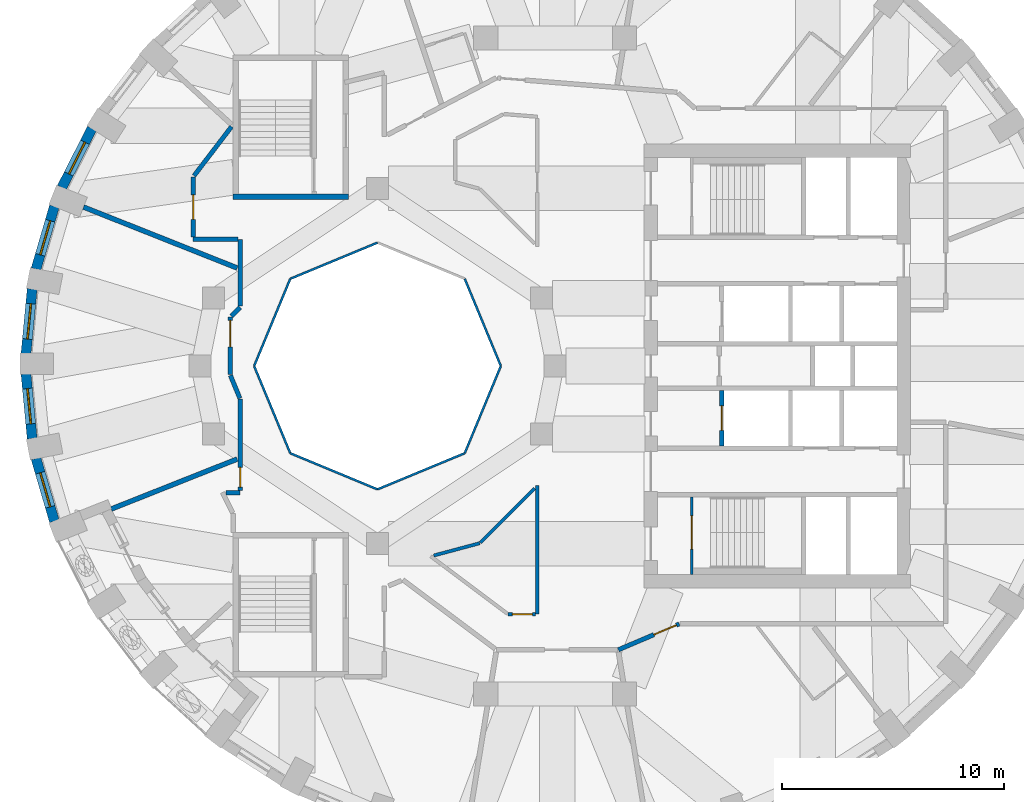
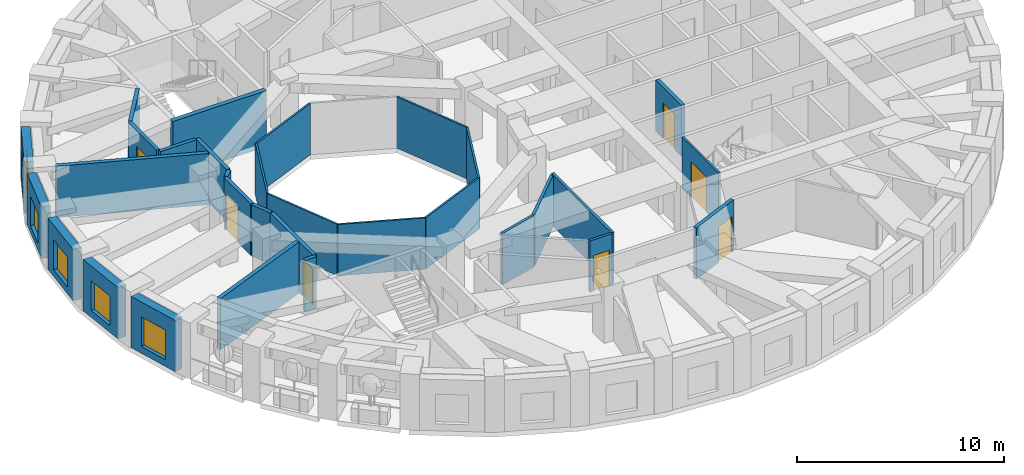
# One storey, part 4 of 11: 31 walls, 7 doors, 5 windows, 12 openings.
"""IFC4 building model written with IfcOpenShell, lengths in metres."""

from ifc_helpers import new_model, si_unit, direction, frame, frame_2d, origin, place, context, subcontext, project, spatial, rectangle, extrude, material, layer, layer_set, type_object, element, fill, save


model = new_model("IFC4")

# Units and contexts
model_context = context("Model", 3, precision=1e-05, world=origin(), true_north=direction((0.0, 1.0)))
body_context = subcontext(model_context, "Body", "Model", "MODEL_VIEW")
ifc_project = project(units=[si_unit("LENGTHUNIT", "METRE"), si_unit("AREAUNIT", "SQUARE_METRE"), si_unit("VOLUMEUNIT", "CUBIC_METRE"), si_unit("PLANEANGLEUNIT", "RADIAN"), si_unit("MASSUNIT", "GRAM", prefix="KILO")], contexts=[model_context])

# Site, building, storey
site_placement = place(None, origin())
site = spatial("IfcSite", under=ifc_project, at=site_placement, CompositionType="ELEMENT")
building_placement = place(site_placement, origin())
building = spatial("IfcBuilding", under=site, at=building_placement, Name="Taillehof Tower", CompositionType="ELEMENT")
storey_placement = place(building_placement, frame((0.0, 0.0, 178.10009765625)))
storey = spatial("IfcBuildingStorey", under=building, at=storey_placement, Name="L50", CompositionType="ELEMENT", Elevation=178.10009765625)

# Walls
ifc_material_1 = material(Name="Fire-resisting glass in steel frame", Category="steel")
ifc_layer_1 = layer(ifc_material_1, 0.10009765625)
ifc_layer_set_1 = layer_set([ifc_layer_1], Name="Atrium fire-resisting screen EI 60 100")
wall_type_1 = type_object("IfcWallType", Name="Atrium fire-resisting screen EI 60 100", PredefinedType="PARTITIONING", material=ifc_layer_set_1)
for number, where, z_axis, x_axis, name in (
    (1, (-2.44580078125, 0.0, 0.0), (0.0, 0.0, 1.0), (-0.382730523909, -0.923860025149, 0.0), "Atrium screen"),
    (2, (-4.07275390625, -3.92724609375, 0.0), (0.0, 0.0, 1.0), (-0.923860025149, -0.382730523909, 0.0), "Atrium screen"),
    (3, (-8.0, -5.55419921875, 0.0), (0.0, 0.0, 1.0), (-0.923860025149, 0.382730523909, 0.0), "Atrium screen"),
    (4, (-11.92724609375, -3.92724609375, 0.0), (0.0, 0.0, 1.0), (-0.382730523909, 0.923860025149, 0.0), "Atrium screen"),
    (5, (-13.55419921875, 0.0, 0.0), (0.0, 0.0, 1.0), (0.382730523909, 0.923860025149, 0.0), "Atrium screen"),
    (6, (-11.92724609375, 3.92724609375, 0.0), (0.0, 0.0, 1.0), (0.923860025149, 0.382730523909, 0.0), "Atrium screen"),
    (7, (-4.07275390625, 3.92724609375, 0.0), (0.0, 0.0, 1.0), (0.382730523909, -0.923860025149, 0.0), "Atrium screen"),
):
    element("IfcWall", number, at=place(storey_placement, frame(where, z_axis=z_axis, x_axis=x_axis)), inside=storey, type_object=wall_type_1, Name=name, PredefinedType="PARTITIONING", context=body_context, shape_type="SweptSolid", body=[
        extrude(rectangle(XDim=4.2509765625, YDim=0.10009765625, at=frame_2d((2.12548828125, 0.0))), origin(), (0.0, 0.0, 1.0), 3.02001953125),
    ])

# Wall, opening, window
ifc_material_2 = material(Name="Brick masonry", Category="masonry")
ifc_layer_2 = layer(ifc_material_2, 0.449951171875)
ifc_layer_set_2 = layer_set([ifc_layer_2], Name="Brick infill wall 450")
wall_type_2 = type_object("IfcWallType", Name="Brick infill wall 450", PredefinedType="SOLIDWALL", material=ifc_layer_set_2)
wall_1_placement = place(storey_placement, frame((-20.859375, 10.697021484375, 0.0), z_axis=(0.0, 0.0, 1.0), x_axis=(-0.454133999889, -0.890933392653, 0.0)))
wall_1 = element("IfcWall", 8, at=wall_1_placement, inside=storey, type_object=wall_type_2, Name="Brick wall L50 bay 16", PredefinedType="SOLIDWALL", context=body_context, shape_type="SweptSolid", body=[
    extrude(rectangle(XDim=2.98583984375, YDim=0.449951171875, at=frame_2d((1.492919921875, 0.0))), origin(), (0.0, 0.0, 1.0), 3.02001953125),
])
opening_1_placement = place(wall_1_placement, frame((0.69287109375, 0.0, 0.39990234375)))
opening_1 = element("IfcOpeningElement", 9, at=opening_1_placement, cuts=wall_1, Name="Opening W3", PredefinedType="OPENING", context=body_context, shape_type="SweptSolid", body=[
    extrude(rectangle(XDim=1.60009765625, YDim=1.75, at=frame_2d((0.800048828125, 0.875))), frame((0.0, 0.23486328125, 0.0), z_axis=(0.0, -1.0, 0.0), x_axis=(1.0, 0.0, 0.0)), (0.0, 0.0, 1.0), 0.469970703125),
])
ifc_material_3 = material(Name="Aluminium window frame with clear double glazing", Category="aluminium")
window_type = type_object("IfcWindowType", Name="Deep-set window 1600x1750", PartitioningType="SINGLE_PANEL", PredefinedType="WINDOW", material=ifc_material_3)
window_1_placement = place(opening_1_placement, origin())
window_1 = element("IfcWindow", 10, at=window_1_placement, inside=storey, type_object=window_type, Name="W3", OverallHeight=1.75, OverallWidth=1.60009765625, PartitioningType="SINGLE_PANEL", PredefinedType="WINDOW", context=body_context, shape_type="SweptSolid", body=[
    extrude(rectangle(XDim=1.60009765625, YDim=1.75, at=frame_2d((0.800048828125, 0.875))), frame((0.0, 0.034912109375, 0.0), z_axis=(0.0, -1.0, 0.0), x_axis=(1.0, 0.0, 0.0)), (0.0, 0.0, 1.0), 0.06005859375),
])
fill(opening_1, window_1)

wall_2_placement = place(storey_placement, frame((-22.55126953125, 7.19091796875, 0.0), z_axis=(0.0, 0.0, 1.0), x_axis=(-0.281125768296, -0.959670934435, 0.0)))
wall_2 = element("IfcWall", 11, at=wall_2_placement, inside=storey, type_object=wall_type_2, Name="Brick wall L50 bay 17", PredefinedType="SOLIDWALL", context=body_context, shape_type="SweptSolid", body=[
    extrude(rectangle(XDim=2.947509765625, YDim=0.449951171875, at=frame_2d((1.4736328125, 0.0))), origin(), (0.0, 0.0, 1.0), 3.02001953125),
])
opening_2_placement = place(wall_2_placement, frame((0.673583984375, 0.0, 0.39990234375)))
opening_2 = element("IfcOpeningElement", 12, at=opening_2_placement, cuts=wall_2, Name="Opening W3", PredefinedType="OPENING", context=body_context, shape_type="SweptSolid", body=[
    extrude(rectangle(XDim=1.60009765625, YDim=1.75, at=frame_2d((0.800048828125, 0.875))), frame((0.0, 0.23486328125, 0.0), z_axis=(0.0, -1.0, 0.0), x_axis=(1.0, 0.0, 0.0)), (0.0, 0.0, 1.0), 0.469970703125),
])
window_2_placement = place(opening_2_placement, origin())
window_2 = element("IfcWindow", 13, at=window_2_placement, inside=storey, type_object=window_type, Name="W3", OverallHeight=1.75, OverallWidth=1.60009765625, PartitioningType="SINGLE_PANEL", PredefinedType="WINDOW", context=body_context, shape_type="SweptSolid", body=[
    extrude(rectangle(XDim=1.60009765625, YDim=1.75, at=frame_2d((0.800048828125, 0.875))), frame((0.0, 0.034912109375, 0.0), z_axis=(0.0, -1.0, 0.0), x_axis=(1.0, 0.0, 0.0)), (0.0, 0.0, 1.0), 0.06005859375),
])
fill(opening_2, window_2)

wall_3_placement = place(storey_placement, frame((-23.5517578125, 3.468505859375, 0.0), z_axis=(0.0, 0.0, 1.0), x_axis=(-0.095265737322, -0.995451876935, 0.0)))
wall_3 = element("IfcWall", 14, at=wall_3_placement, inside=storey, type_object=wall_type_2, Name="Brick wall L50 bay 18", PredefinedType="SOLIDWALL", context=body_context, shape_type="SweptSolid", body=[
    extrude(rectangle(XDim=2.9267578125, YDim=0.449951171875, at=frame_2d((1.46337890625, 0.0))), origin(), (0.0, 0.0, 1.0), 3.02001953125),
])
opening_3_placement = place(wall_3_placement, frame((0.663330078125, 0.0, 0.39990234375)))
opening_3 = element("IfcOpeningElement", 15, at=opening_3_placement, cuts=wall_3, Name="Opening W3", PredefinedType="OPENING", context=body_context, shape_type="SweptSolid", body=[
    extrude(rectangle(XDim=1.60009765625, YDim=1.75, at=frame_2d((0.800048828125, 0.875))), frame((0.0, 0.23486328125, 0.0), z_axis=(0.0, -1.0, 0.0), x_axis=(1.0, 0.0, 0.0)), (0.0, 0.0, 1.0), 0.469970703125),
])
window_3_placement = place(opening_3_placement, origin())
window_3 = element("IfcWindow", 16, at=window_3_placement, inside=storey, type_object=window_type, Name="W3", OverallHeight=1.75, OverallWidth=1.60009765625, PartitioningType="SINGLE_PANEL", PredefinedType="WINDOW", context=body_context, shape_type="SweptSolid", body=[
    extrude(rectangle(XDim=1.60009765625, YDim=1.75, at=frame_2d((0.800048828125, 0.875))), frame((0.0, 0.034912109375, 0.0), z_axis=(0.0, -1.0, 0.0), x_axis=(1.0, 0.0, 0.0)), (0.0, 0.0, 1.0), 0.06005859375),
])
fill(opening_3, window_3)

wall_4_placement = place(storey_placement, frame((-23.83056640625, -0.35498046875, 0.0), z_axis=(0.0, 0.0, 1.0), x_axis=(0.095257827044, -0.995452633924, 0.0)))
wall_4 = element("IfcWall", 17, at=wall_4_placement, inside=storey, type_object=wall_type_2, Name="Brick wall L50 bay 19", PredefinedType="SOLIDWALL", context=body_context, shape_type="SweptSolid", body=[
    extrude(rectangle(XDim=2.927001953125, YDim=0.449951171875, at=frame_2d((1.46337890625, 0.0))), origin(), (0.0, 0.0, 1.0), 3.02001953125),
])
opening_4_placement = place(wall_4_placement, frame((0.663330078125, 0.0, 0.39990234375)))
opening_4 = element("IfcOpeningElement", 18, at=opening_4_placement, cuts=wall_4, Name="Opening W3", PredefinedType="OPENING", context=body_context, shape_type="SweptSolid", body=[
    extrude(rectangle(XDim=1.60009765625, YDim=1.75, at=frame_2d((0.800048828125, 0.875))), frame((0.0, 0.23486328125, 0.0), z_axis=(0.0, -1.0, 0.0), x_axis=(1.0, 0.0, 0.0)), (0.0, 0.0, 1.0), 0.469970703125),
])
window_4_placement = place(opening_4_placement, origin())
window_4 = element("IfcWindow", 19, at=window_4_placement, inside=storey, type_object=window_type, Name="W3", OverallHeight=1.75, OverallWidth=1.60009765625, PartitioningType="SINGLE_PANEL", PredefinedType="WINDOW", context=body_context, shape_type="SweptSolid", body=[
    extrude(rectangle(XDim=1.60009765625, YDim=1.75, at=frame_2d((0.800048828125, 0.875))), frame((0.0, 0.034912109375, 0.0), z_axis=(0.0, -1.0, 0.0), x_axis=(1.0, 0.0, 0.0)), (0.0, 0.0, 1.0), 0.06005859375),
])
fill(opening_4, window_4)

wall_5_placement = place(storey_placement, frame((-23.3798828125, -4.162353515625, 0.0), z_axis=(0.0, 0.0, 1.0), x_axis=(0.281125768296, -0.959670934435, 0.0)))
wall_5 = element("IfcWall", 20, at=wall_5_placement, inside=storey, type_object=wall_type_2, Name="Brick wall L50 bay 20", PredefinedType="SOLIDWALL", context=body_context, shape_type="SweptSolid", body=[
    extrude(rectangle(XDim=2.947509765625, YDim=0.449951171875, at=frame_2d((1.4736328125, 0.0))), origin(), (0.0, 0.0, 1.0), 3.02001953125),
])
opening_5_placement = place(wall_5_placement, frame((0.673583984375, 0.0, 0.39990234375)))
opening_5 = element("IfcOpeningElement", 21, at=opening_5_placement, cuts=wall_5, Name="Opening W3", PredefinedType="OPENING", context=body_context, shape_type="SweptSolid", body=[
    extrude(rectangle(XDim=1.60009765625, YDim=1.75, at=frame_2d((0.800048828125, 0.875))), frame((0.0, 0.23486328125, 0.0), z_axis=(0.0, -1.0, 0.0), x_axis=(1.0, 0.0, 0.0)), (0.0, 0.0, 1.0), 0.469970703125),
])
window_5_placement = place(opening_5_placement, origin())
window_5 = element("IfcWindow", 22, at=window_5_placement, inside=storey, type_object=window_type, Name="W3", OverallHeight=1.75, OverallWidth=1.60009765625, PartitioningType="SINGLE_PANEL", PredefinedType="WINDOW", context=body_context, shape_type="SweptSolid", body=[
    extrude(rectangle(XDim=1.60009765625, YDim=1.75, at=frame_2d((0.800048828125, 0.875))), frame((0.0, 0.034912109375, 0.0), z_axis=(0.0, -1.0, 0.0), x_axis=(1.0, 0.0, 0.0)), (0.0, 0.0, 1.0), 0.06005859375),
])
fill(opening_5, window_5)

# Wall
ifc_material_4 = material(Name="Gypsum board on steel studs, two layers each side", Category="steel")
ifc_layer_3 = layer(ifc_material_4, 0.199951171875)
ifc_layer_set_3 = layer_set([ifc_layer_3], Name="Compartment wall corridor 200")
wall_type_3 = type_object("IfcWallType", Name="Compartment wall corridor 200", PredefinedType="PARTITIONING", material=ifc_layer_set_3)
wall_6_placement = place(storey_placement, frame((-14.821533203125, -5.699951171875, 0.0), z_axis=(0.0, 0.0, 1.0), x_axis=(1.0, 0.0, 0.0)))
element("IfcWall", 23, at=wall_6_placement, inside=storey, type_object=wall_type_3, Name="Compartment wall", PredefinedType="PARTITIONING", context=body_context, shape_type="SweptSolid", body=[
    extrude(rectangle(XDim=0.639404296875, YDim=0.199951171875, at=frame_2d((0.31982421875, 0.0))), origin(), (0.0, 0.0, 1.0), 3.02001953125),
])

# Wall, opening, door
wall_7_placement = place(storey_placement, frame((-14.18212890625, -5.599853515625, 0.0), z_axis=(0.0, 0.0, 1.0), x_axis=(0.0, 1.0, 0.0)))
wall_7 = element("IfcWall", 24, at=wall_7_placement, inside=storey, type_object=wall_type_3, Name="Compartment wall", PredefinedType="PARTITIONING", context=body_context, shape_type="SweptSolid", body=[
    extrude(rectangle(XDim=4.110595703125, YDim=0.199951171875, at=frame_2d((2.05517578125, 0.0))), origin(), (0.0, 0.0, 1.0), 3.02001953125),
])
opening_6_placement = place(wall_7_placement, frame((0.139892578125, 0.0, 0.0)))
opening_6 = element("IfcOpeningElement", 25, at=opening_6_placement, cuts=wall_7, Name="Opening D5047", PredefinedType="OPENING", context=body_context, shape_type="SweptSolid", body=[
    extrude(rectangle(XDim=0.89990234375, YDim=2.10009765625, at=frame_2d((0.449951171875, 1.050048828125))), frame((0.0, 0.10986328125, 0.0), z_axis=(0.0, -1.0, 0.0), x_axis=(1.0, 0.0, 0.0)), (0.0, 0.0, 1.0), 0.219970703125),
])
ifc_material_5 = material(Name="Timber door leaf in steel frame", Category="steel")
door_type_1 = type_object("IfcDoorType", Name="Service room door EI 30 900 x 2100", OperationType="SINGLE_SWING_LEFT", PredefinedType="DOOR", material=ifc_material_5)
door_1_placement = place(opening_6_placement, origin())
door_1 = element("IfcDoor", 26, at=door_1_placement, inside=storey, type_object=door_type_1, Name="D5047", OperationType="SINGLE_SWING_LEFT", OverallHeight=2.10009765625, OverallWidth=0.89990234375, PredefinedType="DOOR", context=body_context, shape_type="SweptSolid", body=[
    extrude(rectangle(XDim=0.89990234375, YDim=2.10009765625, at=frame_2d((0.449951171875, 1.050048828125))), frame((0.0, 0.02490234375, 0.0), z_axis=(0.0, -1.0, 0.0), x_axis=(1.0, 0.0, 0.0)), (0.0, 0.0, 1.0), 0.050048828125),
])
fill(opening_6, door_1)

# Wall
wall_8_placement = place(storey_placement, frame((-14.197265625, -1.4521484375, 0.0), z_axis=(0.0, 0.0, 1.0), x_axis=(-0.382750994913, 0.923851544293, 0.0)))
element("IfcWall", 27, at=wall_8_placement, inside=storey, type_object=wall_type_3, Name="Compartment wall", PredefinedType="PARTITIONING", context=body_context, shape_type="SweptSolid", body=[
    extrude(rectangle(XDim=1.1162109375, YDim=0.199951171875, at=frame_2d((0.55810546875, 0.0))), origin(), (0.0, 0.0, 1.0), 3.02001953125),
])

# Wall, opening, door
wall_9_placement = place(storey_placement, frame((-14.62451171875, -0.380859375, 0.0), z_axis=(0.0, 0.0, 1.0), x_axis=(0.0, 1.0, 0.0)))
wall_9 = element("IfcWall", 28, at=wall_9_placement, inside=storey, type_object=wall_type_3, Name="Compartment wall", PredefinedType="PARTITIONING", context=body_context, shape_type="SweptSolid", body=[
    extrude(rectangle(XDim=2.580810546875, YDim=0.199951171875, at=frame_2d((1.29052734375, 0.0))), origin(), (0.0, 0.0, 1.0), 3.02001953125),
])
opening_7_placement = place(wall_9_placement, frame((1.24072265625, 0.0, 0.0)))
opening_7 = element("IfcOpeningElement", 29, at=opening_7_placement, cuts=wall_9, Name="Opening D5046", PredefinedType="OPENING", context=body_context, shape_type="SweptSolid", body=[
    extrude(rectangle(XDim=1.199951171875, YDim=2.10009765625, at=frame_2d((0.60009765625, 1.050048828125))), frame((0.0, 0.10986328125, 0.0), z_axis=(0.0, -1.0, 0.0), x_axis=(1.0, 0.0, 0.0)), (0.0, 0.0, 1.0), 0.219970703125),
])
ifc_material_6 = material(Name="Timber door leaf in steel frame", Category="steel")
door_type_2 = type_object("IfcDoorType", Name="Suite entrance door EI 30 1200 x 2100", OperationType="SINGLE_SWING_LEFT", PredefinedType="DOOR", material=ifc_material_6)
door_2_placement = place(opening_7_placement, origin())
door_2 = element("IfcDoor", 30, at=door_2_placement, inside=storey, type_object=door_type_2, Name="D5046", OperationType="SINGLE_SWING_RIGHT", OverallHeight=2.10009765625, OverallWidth=1.199951171875, PredefinedType="DOOR", context=body_context, shape_type="SweptSolid", body=[
    extrude(rectangle(XDim=1.199951171875, YDim=2.10009765625, at=frame_2d((0.60009765625, 1.050048828125))), frame((0.0, 0.02490234375, 0.0), z_axis=(0.0, -1.0, 0.0), x_axis=(1.0, 0.0, 0.0)), (0.0, 0.0, 1.0), 0.050048828125),
])
fill(opening_7, door_2)

# Walls
wall_10_placement = place(storey_placement, frame((-14.58203125, 2.242431640625, 0.0), z_axis=(0.0, 0.0, 1.0), x_axis=(0.706890969579, 0.707322526948, 0.0)))
element("IfcWall", 31, at=wall_10_placement, inside=storey, type_object=wall_type_3, Name="Compartment wall", PredefinedType="PARTITIONING", context=body_context, shape_type="SweptSolid", body=[
    extrude(rectangle(XDim=0.565673828125, YDim=0.199951171875, at=frame_2d((0.28271484375, 0.0))), origin(), (0.0, 0.0, 1.0), 3.02001953125),
])
wall_11_placement = place(storey_placement, frame((-14.18212890625, 2.70263671875, 0.0), z_axis=(0.0, 0.0, 1.0), x_axis=(0.0, 1.0, 0.0)))
element("IfcWall", 32, at=wall_11_placement, inside=storey, type_object=wall_type_3, Name="Compartment wall", PredefinedType="PARTITIONING", context=body_context, shape_type="SweptSolid", body=[
    extrude(rectangle(XDim=2.997314453125, YDim=0.199951171875, at=frame_2d((1.49853515625, 0.0))), origin(), (0.0, 0.0, 1.0), 3.02001953125),
])
wall_12_placement = place(storey_placement, frame((-14.2822265625, 5.699951171875, 0.0), z_axis=(0.0, 0.0, 1.0), x_axis=(-1.0, 0.0, 0.0)))
element("IfcWall", 33, at=wall_12_placement, inside=storey, type_object=wall_type_3, Name="Compartment wall", PredefinedType="PARTITIONING", context=body_context, shape_type="SweptSolid", body=[
    extrude(rectangle(XDim=2.017822265625, YDim=0.199951171875, at=frame_2d((1.0087890625, 0.0))), origin(), (0.0, 0.0, 1.0), 3.02001953125),
])

# Wall, opening, door
wall_13_placement = place(storey_placement, frame((-16.300048828125, 5.800048828125, 0.0), z_axis=(0.0, 0.0, 1.0), x_axis=(0.0, 1.0, 0.0)))
wall_13 = element("IfcWall", 34, at=wall_13_placement, inside=storey, type_object=wall_type_3, Name="Compartment wall", PredefinedType="PARTITIONING", context=body_context, shape_type="SweptSolid", body=[
    extrude(rectangle(XDim=2.718505859375, YDim=0.199951171875, at=frame_2d((1.359375, 0.0))), origin(), (0.0, 0.0, 1.0), 3.02001953125),
])
opening_8_placement = place(wall_13_placement, frame((0.809326171875, 0.0, 0.0)))
opening_8 = element("IfcOpeningElement", 35, at=opening_8_placement, cuts=wall_13, Name="Opening D5045", PredefinedType="OPENING", context=body_context, shape_type="SweptSolid", body=[
    extrude(rectangle(XDim=1.10009765625, YDim=2.10009765625, at=frame_2d((0.550048828125, 1.050048828125))), frame((0.0, 0.10986328125, 0.0), z_axis=(0.0, -1.0, 0.0), x_axis=(1.0, 0.0, 0.0)), (0.0, 0.0, 1.0), 0.219970703125),
])
ifc_material_7 = material(Name="Timber door leaf in steel frame", Category="steel")
door_type_3 = type_object("IfcDoorType", Name="Suite entrance door EI 30 1100 x 2100", OperationType="SINGLE_SWING_LEFT", PredefinedType="DOOR", material=ifc_material_7)
door_3_placement = place(opening_8_placement, origin())
door_3 = element("IfcDoor", 36, at=door_3_placement, inside=storey, type_object=door_type_3, Name="D5045", OperationType="SINGLE_SWING_RIGHT", OverallHeight=2.10009765625, OverallWidth=1.10009765625, PredefinedType="DOOR", context=body_context, shape_type="SweptSolid", body=[
    extrude(rectangle(XDim=1.10009765625, YDim=2.10009765625, at=frame_2d((0.550048828125, 1.050048828125))), frame((0.0, 0.02490234375, 0.0), z_axis=(0.0, -1.0, 0.0), x_axis=(1.0, 0.0, 0.0)), (0.0, 0.0, 1.0), 0.050048828125),
])
fill(opening_8, door_3)

# Wall
wall_14_placement = place(storey_placement, frame((-16.263427734375, 8.566162109375, 0.0), z_axis=(0.0, 0.0, 1.0), x_axis=(0.606668946119, 0.794954583492, 0.0)))
element("IfcWall", 37, at=wall_14_placement, inside=storey, type_object=wall_type_3, Name="Compartment wall", PredefinedType="PARTITIONING", context=body_context, shape_type="SweptSolid", body=[
    extrude(rectangle(XDim=2.78515625, YDim=0.199951171875, at=frame_2d((1.392578125, 0.0))), origin(), (0.0, 0.0, 1.0), 3.02001953125),
])

# Wall, opening, door
wall_15_placement = place(storey_placement, frame((5.587158203125, -11.61572265625, 0.0), z_axis=(0.0, 0.0, 1.0), x_axis=(-0.920312454828, -0.391184081334, 0.0)))
wall_15 = element("IfcWall", 38, at=wall_15_placement, inside=storey, type_object=wall_type_3, Name="Compartment wall", PredefinedType="PARTITIONING", context=body_context, shape_type="SweptSolid", body=[
    extrude(rectangle(XDim=2.97509765625, YDim=0.199951171875, at=frame_2d((1.487548828125, 0.0))), origin(), (0.0, 0.0, 1.0), 3.02001953125),
])
opening_9_placement = place(wall_15_placement, frame((0.139892578125, 0.0, 0.0)))
opening_9 = element("IfcOpeningElement", 39, at=opening_9_placement, cuts=wall_15, Name="Opening D5050", PredefinedType="OPENING", context=body_context, shape_type="SweptSolid", body=[
    extrude(rectangle(XDim=1.10009765625, YDim=2.10009765625, at=frame_2d((0.550048828125, 1.050048828125))), frame((0.0, 0.10986328125, 0.0), z_axis=(0.0, -1.0, 0.0), x_axis=(1.0, 0.0, 0.0)), (0.0, 0.0, 1.0), 0.219970703125),
])
door_4_placement = place(opening_9_placement, origin())
door_4 = element("IfcDoor", 40, at=door_4_placement, inside=storey, type_object=door_type_3, Name="D5050", OperationType="SINGLE_SWING_LEFT", OverallHeight=2.10009765625, OverallWidth=1.10009765625, PredefinedType="DOOR", context=body_context, shape_type="SweptSolid", body=[
    extrude(rectangle(XDim=1.10009765625, YDim=2.10009765625, at=frame_2d((0.550048828125, 1.050048828125))), frame((0.0, 0.02490234375, 0.0), z_axis=(0.0, -1.0, 0.0), x_axis=(1.0, 0.0, 0.0)), (0.0, 0.0, 1.0), 0.050048828125),
])
fill(opening_9, door_4)

# Walls
ifc_material_8 = material(Name="Gypsum board on double steel studs with mineral wool", Category="steel")
ifc_layer_4 = layer(ifc_material_8, 0.219970703125)
ifc_layer_set_4 = layer_set([ifc_layer_4], Name="Compartment wall guest room 220")
wall_type_4 = type_object("IfcWallType", Name="Compartment wall guest room 220", PredefinedType="PARTITIONING", material=ifc_layer_set_4)
wall_16_placement = place(storey_placement, frame((-21.23876953125, 7.15966796875, 0.0), z_axis=(0.0, 0.0, 1.0), x_axis=(0.929511234156, -0.368793798182, 0.0)))
element("IfcWall", 41, at=wall_16_placement, inside=storey, type_object=wall_type_4, Name="Compartment wall", PredefinedType="PARTITIONING", context=body_context, shape_type="SweptSolid", body=[
    extrude(rectangle(XDim=7.444091796875, YDim=0.219970703125, at=frame_2d((3.72216796875, 0.0))), origin(), (0.0, 0.0, 1.0), 3.02001953125),
])
wall_17_placement = place(storey_placement, frame((-19.98974609375, -6.441162109375, 0.0), z_axis=(0.0, 0.0, 1.0), x_axis=(0.929499857769, 0.368822470042, 0.0)))
element("IfcWall", 42, at=wall_17_placement, inside=storey, type_object=wall_type_4, Name="Compartment wall", PredefinedType="PARTITIONING", context=body_context, shape_type="SweptSolid", body=[
    extrude(rectangle(XDim=6.1005859375, YDim=0.219970703125, at=frame_2d((3.05029296875, 0.0))), origin(), (0.0, 0.0, 1.0), 3.02001953125),
])
ifc_material_9 = material(Name="Gypsum board on steel studs, two layers each side", Category="steel")
ifc_layer_5 = layer(ifc_material_9, 0.14990234375)
ifc_layer_set_5 = layer_set([ifc_layer_5], Name="Compartment wall service room 150")
wall_type_5 = type_object("IfcWallType", Name="Compartment wall service room 150", PredefinedType="PARTITIONING", material=ifc_layer_set_5)
wall_18_placement = place(storey_placement, frame((-0.800048828125, -5.386474609375, 0.0), z_axis=(0.0, 0.0, 1.0), x_axis=(0.0, -1.0, 0.0)))
element("IfcWall", 43, at=wall_18_placement, inside=storey, type_object=wall_type_5, Name="Compartment wall", PredefinedType="PARTITIONING", context=body_context, shape_type="SweptSolid", body=[
    extrude(rectangle(XDim=5.79296875, YDim=0.14990234375, at=frame_2d((2.896484375, 0.0))), origin(), (0.0, 0.0, 1.0), 3.02001953125),
])

# Wall, opening, door
wall_19_placement = place(storey_placement, frame((-0.880126953125, -11.179443359375, 0.0), z_axis=(0.0, 0.0, 1.0), x_axis=(-1.0, 0.0, 0.0)))
wall_19 = element("IfcWall", 44, at=wall_19_placement, inside=storey, type_object=wall_type_5, Name="Compartment wall", PredefinedType="PARTITIONING", context=body_context, shape_type="SweptSolid", body=[
    extrude(rectangle(XDim=1.236083984375, YDim=0.14990234375, at=frame_2d((0.6181640625, 0.0))), origin(), (0.0, 0.0, 1.0), 3.02001953125),
])
opening_10_placement = place(wall_19_placement, frame((0.139892578125, 0.0, 0.0)))
opening_10 = element("IfcOpeningElement", 45, at=opening_10_placement, cuts=wall_19, Name="Opening D5056", PredefinedType="OPENING", context=body_context, shape_type="SweptSolid", body=[
    extrude(rectangle(XDim=0.89990234375, YDim=2.10009765625, at=frame_2d((0.449951171875, 1.050048828125))), frame((0.0, 0.0849609375, 0.0), z_axis=(0.0, -1.0, 0.0), x_axis=(1.0, 0.0, 0.0)), (0.0, 0.0, 1.0), 0.169921875),
])
door_5_placement = place(opening_10_placement, origin())
door_5 = element("IfcDoor", 46, at=door_5_placement, inside=storey, type_object=door_type_1, Name="D5056", OperationType="SINGLE_SWING_RIGHT", OverallHeight=2.10009765625, OverallWidth=0.89990234375, PredefinedType="DOOR", context=body_context, shape_type="SweptSolid", body=[
    extrude(rectangle(XDim=0.89990234375, YDim=2.10009765625, at=frame_2d((0.449951171875, 1.050048828125))), frame((0.0, 0.02490234375, 0.0), z_axis=(0.0, -1.0, 0.0), x_axis=(1.0, 0.0, 0.0)), (0.0, 0.0, 1.0), 0.050048828125),
])
fill(opening_10, door_5)

# Walls
wall_20_placement = place(storey_placement, frame((-5.462890625, -8.534423828125, 0.0), z_axis=(0.0, 0.0, 1.0), x_axis=(0.965888027346, 0.258960071498, 0.0)))
element("IfcWall", 47, at=wall_20_placement, inside=storey, type_object=wall_type_5, Name="Compartment wall", PredefinedType="PARTITIONING", context=body_context, shape_type="SweptSolid", body=[
    extrude(rectangle(XDim=2.142822265625, YDim=0.14990234375, at=frame_2d((1.0712890625, 0.0))), origin(), (0.0, 0.0, 1.0), 3.02001953125),
])
wall_21_placement = place(storey_placement, frame((-3.36474609375, -7.951171875, 0.0), z_axis=(0.0, 0.0, 1.0), x_axis=(0.707106781187, 0.707106781187, 0.0)))
element("IfcWall", 48, at=wall_21_placement, inside=storey, type_object=wall_type_5, Name="Compartment wall", PredefinedType="PARTITIONING", context=body_context, shape_type="SweptSolid", body=[
    extrude(rectangle(XDim=3.44677734375, YDim=0.14990234375, at=frame_2d((1.723388671875, 0.0))), origin(), (0.0, 0.0, 1.0), 3.02001953125),
])

# Wall, opening, door
ifc_material_10 = material(Name="Concrete C50/60", Category="concrete")
ifc_layer_6 = layer(ifc_material_10, 0.199951171875)
ifc_layer_set_6 = layer_set([ifc_layer_6], Name="Shaft wall C50/60 200")
wall_type_6 = type_object("IfcWallType", Name="Shaft wall C50/60 200", PredefinedType="SHEAR", material=ifc_layer_set_6)
wall_22_placement = place(storey_placement, frame((7.5, -3.60009765625, 0.0), z_axis=(0.0, 0.0, 1.0), x_axis=(0.0, 1.0, 0.0)))
wall_22 = element("IfcWall", 49, at=wall_22_placement, inside=storey, type_object=wall_type_6, Name="Shaft wall SW", PredefinedType="SHEAR", context=body_context, shape_type="SweptSolid", body=[
    extrude(rectangle(XDim=2.5, YDim=0.199951171875, at=frame_2d((1.25, 0.0))), origin(), (0.0, 0.0, 1.0), 3.02001953125),
])
opening_11_placement = place(wall_22_placement, frame((0.699951171875, 0.0, 0.0)))
opening_11 = element("IfcOpeningElement", 50, at=opening_11_placement, cuts=wall_22, Name="Opening LD1", PredefinedType="OPENING", context=body_context, shape_type="SweptSolid", body=[
    extrude(rectangle(XDim=1.10009765625, YDim=2.10009765625, at=frame_2d((0.550048828125, 1.050048828125))), frame((0.0, 0.10986328125, 0.0), z_axis=(0.0, -1.0, 0.0), x_axis=(1.0, 0.0, 0.0)), (0.0, 0.0, 1.0), 0.219970703125),
])
ifc_material_11 = material(Name="Stainless steel", Category="steel")
door_type_4 = type_object("IfcDoorType", Name="Lift landing door LD1 1100x2100", OperationType="DOUBLE_DOOR_SLIDING", PredefinedType="DOOR", material=ifc_material_11)
door_6_placement = place(opening_11_placement, origin())
door_6 = element("IfcDoor", 51, at=door_6_placement, inside=storey, type_object=door_type_4, Name="Landing door FF2", OperationType="DOUBLE_DOOR_SLIDING", OverallHeight=2.10009765625, OverallWidth=1.10009765625, PredefinedType="DOOR", context=body_context, shape_type="SweptSolid", body=[
    extrude(rectangle(XDim=1.10009765625, YDim=2.10009765625, at=frame_2d((0.550048828125, 1.050048828125))), frame((0.0, 0.02490234375, 0.0), z_axis=(0.0, -1.0, 0.0), x_axis=(1.0, 0.0, 0.0)), (0.0, 0.0, 1.0), 0.050048828125),
])
fill(opening_11, door_6)

ifc_material_12 = material(Name="Concrete C50/60", Category="concrete")
ifc_layer_7 = layer(ifc_material_12, 0.1201171875)
ifc_layer_set_7 = layer_set([ifc_layer_7], Name="Stair lobby wall C50/60 120")
wall_type_7 = type_object("IfcWallType", Name="Stair lobby wall C50/60 120", PredefinedType="SHEAR", material=ifc_layer_set_7)
wall_23_placement = place(storey_placement, frame((6.159912109375, -9.39990234375, 0.0), z_axis=(0.0, 0.0, 1.0), x_axis=(0.0, 1.0, 0.0)))
wall_23 = element("IfcWall", 52, at=wall_23_placement, inside=storey, type_object=wall_type_7, Name="Compartment wall SW", PredefinedType="SHEAR", context=body_context, shape_type="SweptSolid", body=[
    extrude(rectangle(XDim=3.5, YDim=0.1201171875, at=frame_2d((1.75, 0.0))), origin(), (0.0, 0.0, 1.0), 3.02001953125),
])
opening_12_placement = place(wall_23_placement, frame((1.14990234375, 0.0, 0.0)))
opening_12 = element("IfcOpeningElement", 53, at=opening_12_placement, cuts=wall_23, Name="Opening D5011", PredefinedType="OPENING", context=body_context, shape_type="SweptSolid", body=[
    extrude(rectangle(XDim=1.5, YDim=2.10009765625, at=frame_2d((0.75, 1.050048828125))), frame((0.0, 0.070068359375, 0.0), z_axis=(0.0, -1.0, 0.0), x_axis=(1.0, 0.0, 0.0)), (0.0, 0.0, 1.0), 0.14013671875),
])
ifc_material_13 = material(Name="Steel-faced fire door", Category="steel")
door_type_5 = type_object("IfcDoorType", Name="Stair door 1500x2100", OperationType="DOUBLE_DOOR_SINGLE_SWING", PredefinedType="DOOR", material=ifc_material_13)
door_7_placement = place(opening_12_placement, origin())
door_7 = element("IfcDoor", 54, at=door_7_placement, inside=storey, type_object=door_type_5, Name="Stair lobby door S2", OperationType="DOUBLE_DOOR_SINGLE_SWING", OverallHeight=2.10009765625, OverallWidth=1.5, PredefinedType="DOOR", context=body_context, shape_type="SweptSolid", body=[
    extrude(rectangle(XDim=1.5, YDim=2.10009765625, at=frame_2d((0.75, 1.050048828125))), frame((0.0, 0.02490234375, 0.0), z_axis=(0.0, -1.0, 0.0), x_axis=(1.0, 0.0, 0.0)), (0.0, 0.0, 1.0), 0.050048828125),
])
fill(opening_12, door_7)

# Wall
ifc_material_14 = material(Name="Concrete C50/60", Category="concrete")
ifc_layer_8 = layer(ifc_material_14, 0.25)
ifc_layer_set_8 = layer_set([ifc_layer_8], Name="Stair wall C50/60 250")
wall_type_8 = type_object("IfcWallType", Name="Stair wall C50/60 250", PredefinedType="SHEAR", material=ifc_layer_set_8)
wall_24_placement = place(storey_placement, frame((-14.5, 7.625, -0.280029296875), z_axis=(0.0, 0.0, 1.0), x_axis=(1.0, 0.0, 0.0)))
element("IfcWall", 55, at=wall_24_placement, inside=storey, type_object=wall_type_8, Name="Stair wall SC", PredefinedType="SHEAR", context=body_context, shape_type="SweptSolid", body=[
    extrude(rectangle(XDim=5.199951171875, YDim=0.25, at=frame_2d((2.60009765625, 0.0))), origin(), (0.0, 0.0, 1.0), 3.300048828125),
])

save(model, "model.ifc")
